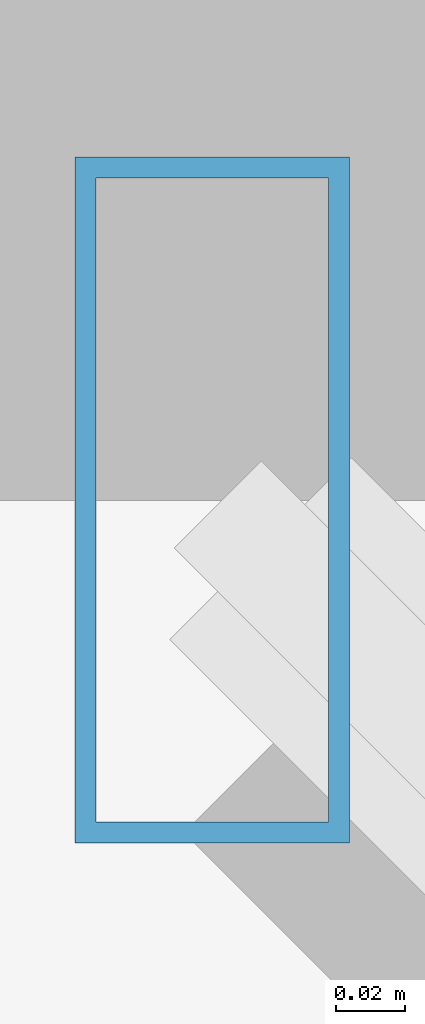
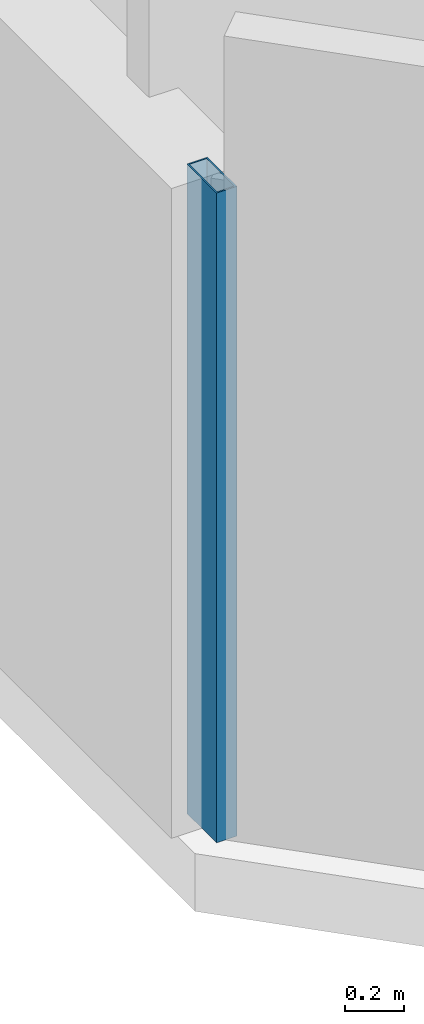
# One storey, part 6 of 33: 1 member, 1 element without a shape of its own.
"""IFC4 building model written with IfcOpenShell, lengths in metres."""

import ifcopenshell
import ifcopenshell.guid

model = None  # the IFC model being written
_history = None  # IfcOwnerHistory: only IFC2X3 demands one
_inside = {}  # id of a spatial element -> (the spatial element, [elements in it])
_under = {}  # id of a project, library or spatial element -> (it, [spatial elements below it])
_declared = {}  # id of a project -> (the project, [libraries it declares])
_typed = {}  # id of a type object -> (the type object, [elements of that type])
_made_of = {}  # id of a material, layer set ... -> (it, [elements and type objects made of it])


def new_model(schema):
    """Start an empty IFC model of exactly this schema.

    Asked for "IFC4X3", IfcOpenShell would pick the latest addendum, in which some entities
    have other attributes; the version numbers below select the first issue.
    IFC2X3 requires an IfcOwnerHistory on every rooted entity: one is made here for all.
    """
    global model, _history
    if schema == "IFC4X3":
        model = ifcopenshell.file(schema_version=(4, 3, 0, 0))
    else:
        model = ifcopenshell.file(schema=schema)
    _inside.clear()
    _under.clear()
    _declared.clear()
    _typed.clear()
    _made_of.clear()
    _history = None
    if model.schema == "IFC2X3":
        org = make("IfcOrganization", Name="unknown")
        user = make(
            "IfcPersonAndOrganization",
            ThePerson=make("IfcPerson", FamilyName="unknown"),
            TheOrganization=org,
        )
        app = make(
            "IfcApplication",
            ApplicationDeveloper=org,
            Version="unknown",
            ApplicationFullName="unknown",
            ApplicationIdentifier="unknown",
        )
        _history = make(
            "IfcOwnerHistory",
            OwningUser=user,
            OwningApplication=app,
            ChangeAction="ADDED",
            CreationDate=0,
        )
    return model


def make(cls, **values):
    """One entity of the class cls with the attributes given. An attribute that is None is left unset."""
    return model.create_entity(
        cls, **{name: value for name, value in values.items() if value is not None}
    )


def rooted(cls, **values):
    """An entity with a GlobalId (a new one), such as an element, a storey or a relation."""
    return make(cls, GlobalId=ifcopenshell.guid.new(), OwnerHistory=_history, **values)


def si_unit(unit_type, name, prefix=None):
    """IfcSIUnit, for example si_unit("LENGTHUNIT", "METRE", prefix="MILLI")."""
    return make("IfcSIUnit", UnitType=unit_type, Prefix=prefix, Name=name)


def assignment(units):
    """IfcUnitAssignment: the units of a project."""
    return None if units is None else make("IfcUnitAssignment", Units=units)


def point(xyz):
    """IfcCartesianPoint."""
    return None if xyz is None else make("IfcCartesianPoint", Coordinates=xyz)


def direction(xyz):
    """IfcDirection."""
    return None if xyz is None else make("IfcDirection", DirectionRatios=xyz)


def frame(location, z_axis=None, x_axis=None):
    """IfcAxis2Placement3D, a coordinate frame: its origin and axes. An axis left out is left unset."""
    return make(
        "IfcAxis2Placement3D",
        Location=point(location),
        Axis=direction(z_axis),
        RefDirection=direction(x_axis),
    )


def frame_2d(location, x_axis=None):
    """IfcAxis2Placement2D, a coordinate frame in the plane: its origin and x axis."""
    return make(
        "IfcAxis2Placement2D", Location=point(location), RefDirection=direction(x_axis)
    )


def origin():
    """The frame at (0, 0, 0) with its axes left unset."""
    return frame((0.0, 0.0, 0.0))


def origin_2d():
    """The frame at (0, 0) in the plane with its x axis left unset."""
    return frame_2d((0.0, 0.0))


def place(relative_to, where):
    """IfcLocalPlacement: puts the frame where relative to a parent placement (None: the world)."""
    return make(
        "IfcLocalPlacement", PlacementRelTo=relative_to, RelativePlacement=where
    )


def context(
    kind, dimensions, precision=None, world=None, true_north=None, identifier=None
):
    """IfcGeometricRepresentationContext, for example the 3D "Model" context."""
    return make(
        "IfcGeometricRepresentationContext",
        ContextIdentifier=identifier,
        ContextType=kind,
        CoordinateSpaceDimension=dimensions,
        Precision=precision,
        WorldCoordinateSystem=world,
        TrueNorth=true_north,
    )


def subcontext(parent, identifier, kind, view, scale=None):
    """IfcGeometricRepresentationSubContext, for example "Body" below "Model"."""
    return make(
        "IfcGeometricRepresentationSubContext",
        ContextIdentifier=identifier,
        ContextType=kind,
        ParentContext=parent,
        TargetScale=scale,
        TargetView=view,
    )


def project(units=None, contexts=None):
    """IfcProject with its units and contexts."""
    return rooted(
        "IfcProject",
        Name="project",
        RepresentationContexts=contexts,
        UnitsInContext=assignment(units),
    )


def spatial(cls, under=None, at=None, **own):
    """A site, building, storey or space (cls), placed at a placement, below another one or the project."""
    s = rooted(cls, ObjectPlacement=at, **own)
    if under is not None:
        _under.setdefault(under.id(), (under, []))[1].append(s)
    return s


def profile(cls, at=None, kind="AREA", **sizes):
    """A parametric profile (cls). Its sizes go by their IFC names, for example OverallWidth=200.0."""
    return make(cls, ProfileType=kind, Position=at, **sizes)


def hollow_rectangle(**sizes):
    """IfcRectangleHollowProfileDef."""
    return profile("IfcRectangleHollowProfileDef", **sizes)


def extrude(swept, where, along, depth):
    """IfcExtrudedAreaSolid: the profile swept, set in the frame where, extruded along a direction by depth."""
    return make(
        "IfcExtrudedAreaSolid",
        SweptArea=swept,
        Position=where,
        ExtrudedDirection=direction(along),
        Depth=depth,
    )


def shape(context_of_items, identifier, shape_type, items):
    """IfcShapeRepresentation: the items that make up one representation, for example the "Body"."""
    return make(
        "IfcShapeRepresentation",
        ContextOfItems=context_of_items,
        RepresentationIdentifier=identifier,
        RepresentationType=shape_type,
        Items=items,
    )


def material(Name=None, Category=None):
    """IfcMaterial."""
    return make("IfcMaterial", Name=Name, Category=Category)


def material_profile(
    of_material, cross_section, Name=None, Category=None, Priority=None
):
    """IfcMaterialProfile: a cross section and its material."""
    return make(
        "IfcMaterialProfile",
        Name=Name,
        Material=of_material,
        Profile=cross_section,
        Priority=Priority,
        Category=Category,
    )


def profile_set(profiles, Name=None, composite=None):
    """IfcMaterialProfileSet."""
    return make(
        "IfcMaterialProfileSet",
        Name=Name,
        MaterialProfiles=profiles,
        CompositeProfile=composite,
    )


def made_of(thing, what):
    """Note that an element or type object is made of a material, layer set ...; save() writes the relation."""
    if what is not None:
        _made_of.setdefault(what.id(), (what, []))[1].append(thing)
    return thing


def type_object(cls, material=None, **own):
    """A type object (cls), such as IfcWallType, which elements share."""
    return made_of(rooted(cls, **own), material)


def element(
    cls,
    number,
    at=None,
    inside=None,
    cuts=None,
    type_object=None,
    material=None,
    context=None,
    identifier="Body",
    shape_type=None,
    held_by="IfcProductDefinitionShape",
    body=None,
    shapes=None,
    **own,
):
    """One element of the class cls, such as IfcWall. Its Tag is "e" and its number.

    at: its placement. inside: the storey or other place that contains it. cuts: it is an
    opening in that element (IfcRelVoidsElement). A single representation is given by context,
    identifier, shape_type and body (its items); several are given by shapes. held_by: the class
    of the entity that holds the representations. save() writes the other relations.
    """
    e = rooted(cls, Tag="e%d" % number, ObjectPlacement=at, **own)
    if body is not None:
        shapes = [shape(context, identifier, shape_type, body)]
    if shapes is not None:
        e.Representation = make(held_by, Representations=shapes)
    if inside is not None:
        _inside.setdefault(inside.id(), (inside, []))[1].append(e)
    if cuts is not None:
        rooted(
            "IfcRelVoidsElement", RelatingBuildingElement=cuts, RelatedOpeningElement=e
        )
    if type_object is not None:
        _typed.setdefault(type_object.id(), (type_object, []))[1].append(e)
    return made_of(e, material)


def aggregate(whole, parts):
    """IfcRelAggregates: a whole, such as a stair, and the parts it consists of."""
    return rooted("IfcRelAggregates", RelatingObject=whole, RelatedObjects=parts)


def save(model, path):
    """Write the relations noted so far, then the file.

    IfcRelAggregates (storeys below a building ...), IfcRelContainedInSpatialStructure (elements
    in a storey), IfcRelDefinesByType, IfcRelAssociatesMaterial and IfcRelDeclares: one each for
    every whole, place, type object, material and project.
    """
    for whole, parts in _under.values():
        aggregate(whole, parts)
    for where, things in _inside.values():
        rooted(
            "IfcRelContainedInSpatialStructure",
            RelatedElements=things,
            RelatingStructure=where,
        )
    for kind, things in _typed.values():
        rooted("IfcRelDefinesByType", RelatedObjects=things, RelatingType=kind)
    for what, things in _made_of.values():
        rooted("IfcRelAssociatesMaterial", RelatedObjects=things, RelatingMaterial=what)
    for by, libraries in _declared.values():
        rooted("IfcRelDeclares", RelatingContext=by, RelatedDefinitions=libraries)
    model.write(path)


model = new_model("IFC4")

# Units and contexts
model_context = context("Model", 3, precision=1e-05, world=origin(), true_north=direction((0.0, 1.0)))
body_context = subcontext(model_context, "Body", "Model", "MODEL_VIEW")
ifc_project = project(units=[si_unit("LENGTHUNIT", "METRE"), si_unit("AREAUNIT", "SQUARE_METRE"), si_unit("VOLUMEUNIT", "CUBIC_METRE"), si_unit("PLANEANGLEUNIT", "RADIAN"), si_unit("MASSUNIT", "GRAM", prefix="KILO")], contexts=[model_context])

# Site, building, storey
site_placement = place(None, origin())
site = spatial("IfcSite", under=ifc_project, at=site_placement, CompositionType="ELEMENT")
building_placement = place(site_placement, origin())
building = spatial("IfcBuilding", under=site, at=building_placement, Name="Thornwick Lancets Civic Towers", CompositionType="ELEMENT")
storey_placement = place(building_placement, frame((0.0, 0.0, 159.89990234375)))
storey = spatial("IfcBuildingStorey", under=building, at=storey_placement, Name="L42", CompositionType="ELEMENT", Elevation=159.89990234375)

# Curtain wall, member
ifc_material_1 = material(Name="Mid-zone chamfered-corner unitised glass curtain wall", Category="glass")
curtain_wall_type = type_object("IfcCurtainWallType", Name="CW_SYS_04", PredefinedType="NOTDEFINED", material=ifc_material_1)
curtain_wall_placement = place(storey_placement, origin())
curtain_wall = element("IfcCurtainWall", 1, at=curtain_wall_placement, inside=storey, type_object=curtain_wall_type, Name="L42 Curtain Wall CW-L42-B-E7", PredefinedType="NOTDEFINED")
ifc_material_2 = material(Name="Thermally broken bronze aluminium S355", Category="steel")
ifc_material_profile = material_profile(ifc_material_2, hollow_rectangle(XDim=0.080078125, YDim=0.199951171875, WallThickness=0.006103515625, at=origin_2d()), Name="RHS 200x80x6")
ifc_profile_set = profile_set([ifc_material_profile], Name="Thermally broken bronze aluminium S355")
member_type = type_object("IfcMemberType", Name="CW_MUL_200", PredefinedType="MULLION", material=ifc_profile_set)
member_placement = place(storey_placement, frame((70.7353515625, 11.818603515625, 0.0), z_axis=(0.0, 0.0, 1.0), x_axis=(1.0, 0.0, 0.0)))
member = element("IfcMember", 2, at=member_placement, type_object=member_type, Name="CW-L42-B-E7 Mullion 0", PredefinedType="MULLION", context=body_context, shape_type="SweptSolid", body=[
    extrude(hollow_rectangle(XDim=0.080078125, YDim=0.199951171875, WallThickness=0.006103515625, at=origin_2d()), origin(), (0.0, 0.0, 1.0), 2.7001953125),
])
aggregate(curtain_wall, [member])

save(model, "model.ifc")
